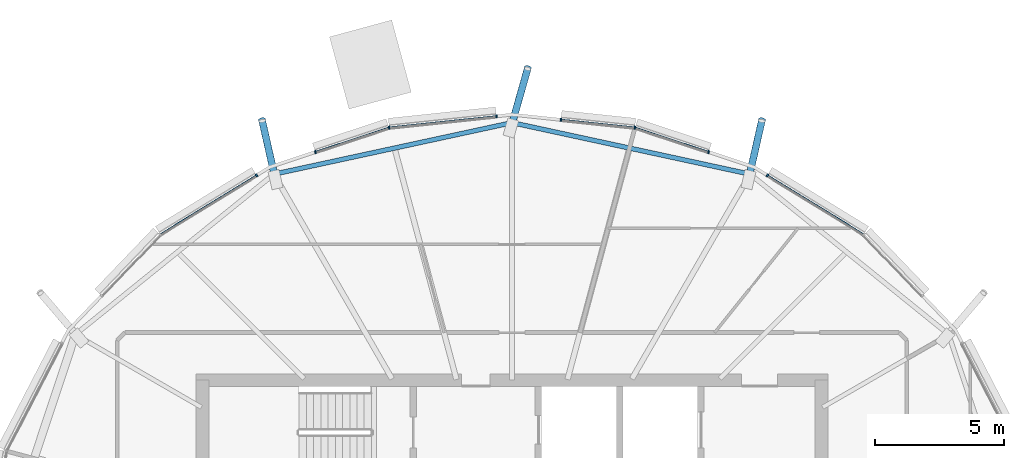
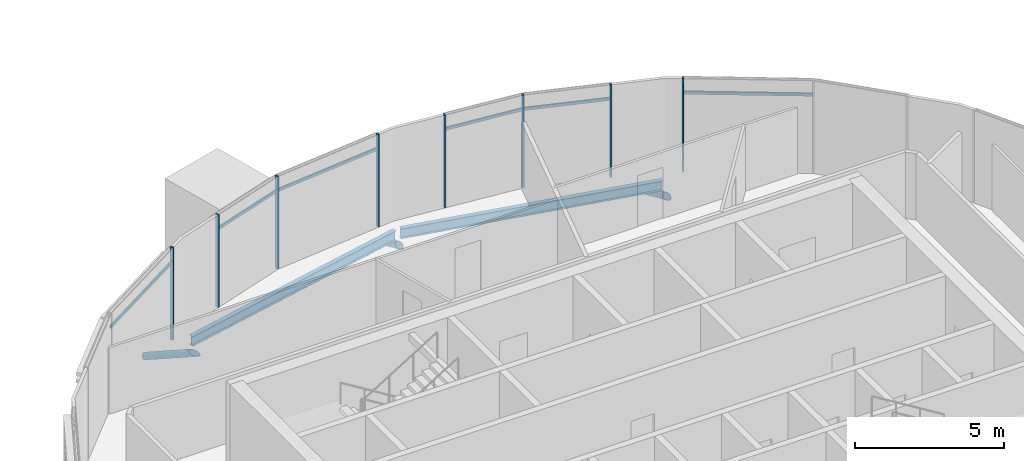
# One storey, part 8 of 33: 17 members, 2 beams, 1 element without a shape of its own.
"""IFC4 building model written with IfcOpenShell, lengths in metres."""

from ifc_helpers import new_model, si_unit, direction, frame, origin, origin_2d, place, context, subcontext, project, spatial, rectangle, hollow_circle, i_section, extrude, clip, halfspace, material, material_profile, profile_set, type_object, element, aggregate, save


model = new_model("IFC4")

# Units and contexts
model_context = context("Model", 3, precision=1e-05, world=origin(), true_north=direction((0.0, 1.0)))
body_context = subcontext(model_context, "Body", "Model", "MODEL_VIEW")
ifc_project = project(units=[si_unit("LENGTHUNIT", "METRE"), si_unit("AREAUNIT", "SQUARE_METRE"), si_unit("VOLUMEUNIT", "CUBIC_METRE"), si_unit("PLANEANGLEUNIT", "RADIAN"), si_unit("MASSUNIT", "GRAM", prefix="KILO")], contexts=[model_context])

# Site, building, storey
site_placement = place(None, origin())
site = spatial("IfcSite", under=ifc_project, at=site_placement, CompositionType="ELEMENT")
building_placement = place(site_placement, origin())
building = spatial("IfcBuilding", under=site, at=building_placement, Name="Rimbun Link Towers", CompositionType="ELEMENT")
storey_placement = place(building_placement, frame((0.0, 0.0, 237.10009765625)))
storey = spatial("IfcBuildingStorey", under=building, at=storey_placement, Name="L58", CompositionType="ELEMENT", Elevation=237.10009765625)

# Curtain wall, members
ifc_material_1 = material(Name="Aluminium 6063-T6 and low-iron glass", Category="aluminium")
curtain_wall_type = type_object("IfcCurtainWallType", Name="CW1-Z4 unitised vision wall (zone 4)", PredefinedType="NOTDEFINED", material=ifc_material_1)
curtain_wall_placement = place(storey_placement, origin())
curtain_wall = element("IfcCurtainWall", 1, at=curtain_wall_placement, inside=storey, type_object=curtain_wall_type, Name="CW1 L58 T1", PredefinedType="NOTDEFINED")
ifc_material_2 = material(Name="Aluminium 6063-T6", Category="aluminium")
ifc_material_profile_1 = material_profile(ifc_material_2, rectangle(XDim=0.1201171875, YDim=0.06005859375, at=origin_2d()), Name="MULLION 60X120")
ifc_profile_set_1 = profile_set([ifc_material_profile_1], Name="Aluminium 6063-T6")
member_type_1 = type_object("IfcMemberType", Name="CW1 mullion 60X120", PredefinedType="MULLION", material=ifc_profile_set_1)
member_1_placement = place(storey_placement, frame((-21.8486328125, 15.947021484375, 0.0), z_axis=(0.0, 0.0, 1.0), x_axis=(0.523240269306, 0.852185203214, 0.0)))
member_1 = element("IfcMember", 2, at=member_1_placement, type_object=member_type_1, Name="CW1 mullion", PredefinedType="MULLION", context=body_context, shape_type="SweptSolid", body=[
    extrude(rectangle(XDim=0.1201171875, YDim=0.06005859375, at=origin_2d()), origin(), (0.0, 0.0, 1.0), 3.7998046875),
])
member_2_placement = place(storey_placement, frame((-26.98486328125, 17.794921875, 0.0), z_axis=(0.0, 0.0, 1.0), x_axis=(0.210871343796, 0.97751382413, 0.0)))
member_2 = element("IfcMember", 3, at=member_2_placement, type_object=member_type_1, Name="CW1 mullion", PredefinedType="MULLION", context=body_context, shape_type="SweptSolid", body=[
    extrude(rectangle(XDim=0.1201171875, YDim=0.06005859375, at=origin_2d()), origin(), (0.0, 0.0, 1.0), 3.7998046875),
])
member_3_placement = place(storey_placement, frame((-24.12841796875, 16.8486328125, 0.0), z_axis=(0.0, 0.0, 1.0), x_axis=(0.314570456722, 0.949234126945, 0.0)))
member_3 = element("IfcMember", 4, at=member_3_placement, type_object=member_type_1, Name="CW1 mullion", PredefinedType="MULLION", context=body_context, shape_type="SweptSolid", body=[
    extrude(rectangle(XDim=0.1201171875, YDim=0.06005859375, at=origin_2d()), origin(), (0.0, 0.0, 1.0), 3.7998046875),
])
member_4_placement = place(storey_placement, frame((-29.854248046875, 18.097412109375, 0.0), z_axis=(0.0, 0.0, 1.0), x_axis=(0.104735982072, 0.994500062373, 0.0)))
member_4 = element("IfcMember", 5, at=member_4_placement, type_object=member_type_1, Name="CW1 mullion", PredefinedType="MULLION", context=body_context, shape_type="SweptSolid", body=[
    extrude(rectangle(XDim=0.1201171875, YDim=0.06005859375, at=origin_2d()), origin(), (0.0, 0.0, 1.0), 3.7998046875),
])
member_5_placement = place(storey_placement, frame((-36.51513671875, 17.794921875, 0.0), z_axis=(0.0, 0.0, 1.0), x_axis=(-0.210871343796, 0.97751382413, 0.0)))
member_5 = element("IfcMember", 6, at=member_5_placement, type_object=member_type_1, Name="CW1 mullion", PredefinedType="MULLION", context=body_context, shape_type="SweptSolid", body=[
    extrude(rectangle(XDim=0.1201171875, YDim=0.06005859375, at=origin_2d()), origin(), (0.0, 0.0, 1.0), 3.7998046875),
])
member_6_placement = place(storey_placement, frame((-32.35302734375, 18.233642578125, 0.0), z_axis=(0.0, 0.0, 1.0), x_axis=(-0.104735982072, 0.994500062373, 0.0)))
member_6 = element("IfcMember", 7, at=member_6_placement, type_object=member_type_1, Name="CW1 mullion", PredefinedType="MULLION", context=body_context, shape_type="SweptSolid", body=[
    extrude(rectangle(XDim=0.1201171875, YDim=0.06005859375, at=origin_2d()), origin(), (0.0, 0.0, 1.0), 3.7998046875),
])
member_7_placement = place(storey_placement, frame((-39.37158203125, 16.8486328125, 0.0), z_axis=(0.0, 0.0, 1.0), x_axis=(-0.314570456722, 0.949234126945, 0.0)))
member_7 = element("IfcMember", 8, at=member_7_placement, type_object=member_type_1, Name="CW1 mullion", PredefinedType="MULLION", context=body_context, shape_type="SweptSolid", body=[
    extrude(rectangle(XDim=0.1201171875, YDim=0.06005859375, at=origin_2d()), origin(), (0.0, 0.0, 1.0), 3.7998046875),
])
member_8_placement = place(storey_placement, frame((-41.6513671875, 15.947021484375, 0.0), z_axis=(0.0, 0.0, 1.0), x_axis=(-0.523240269306, 0.852185203214, 0.0)))
member_8 = element("IfcMember", 9, at=member_8_placement, type_object=member_type_1, Name="CW1 mullion", PredefinedType="MULLION", context=body_context, shape_type="SweptSolid", body=[
    extrude(rectangle(XDim=0.1201171875, YDim=0.06005859375, at=origin_2d()), origin(), (0.0, 0.0, 1.0), 3.7998046875),
])
ifc_material_3 = material(Name="Aluminium 6063-T6", Category="aluminium")
ifc_material_profile_2 = material_profile(ifc_material_3, rectangle(XDim=0.06005859375, YDim=0.1201171875, at=origin_2d()), Name="TRANSOM 60X120")
ifc_profile_set_2 = profile_set([ifc_material_profile_2], Name="Aluminium 6063-T6")
member_type_2 = type_object("IfcMemberType", Name="CW1 transom 60X120", PredefinedType="USERDEFINED", material=ifc_profile_set_2)
member_9_placement = place(storey_placement, frame((-21.823974609375, 15.9296875, 3.199951171875), z_axis=(0.852183601345, -0.523242878211, 0.0), x_axis=(0.523242878211, 0.852183601345, 0.0)))
member_9 = element("IfcMember", 10, at=member_9_placement, type_object=member_type_2, Name="CW1 transom", ObjectType="TRANSOM", PredefinedType="USERDEFINED", context=body_context, shape_type="SweptSolid", body=[
    extrude(rectangle(XDim=0.06005859375, YDim=0.1201171875, at=origin_2d()), origin(), (0.0, 0.0, 1.0), 4.321044921875),
])
member_10_placement = place(storey_placement, frame((-26.950927734375, 17.781982421875, 3.199951171875), z_axis=(0.949221201628, -0.314609456916, 0.0), x_axis=(0.314609456916, 0.949221201628, 0.0)))
member_10 = element("IfcMember", 11, at=member_10_placement, type_object=member_type_2, Name="CW1 transom", ObjectType="TRANSOM", PredefinedType="USERDEFINED", context=body_context, shape_type="SweptSolid", body=[
    extrude(rectangle(XDim=0.06005859375, YDim=0.1201171875, at=origin_2d()), origin(), (0.0, 0.0, 1.0), 2.942626953125),
])
member_11_placement = place(storey_placement, frame((-29.824462890625, 18.09228515625, 3.199951171875), z_axis=(0.994502130239, -0.104716345189, 0.0), x_axis=(0.104716345189, 0.994502130239, 0.0)))
member_11 = element("IfcMember", 12, at=member_11_placement, type_object=member_type_2, Name="CW1 transom", ObjectType="TRANSOM", PredefinedType="USERDEFINED", context=body_context, shape_type="SweptSolid", body=[
    extrude(rectangle(XDim=0.06005859375, YDim=0.1201171875, at=origin_2d()), origin(), (0.0, 0.0, 1.0), 2.818603515625),
])
member_12_placement = place(storey_placement, frame((-36.478759765625, 17.797119140625, 3.199951171875), z_axis=(0.99449993012, 0.104737237843, 0.0), x_axis=(-0.104737237843, 0.99449993012, 0.0)))
member_12 = element("IfcMember", 13, at=member_12_placement, type_object=member_type_2, Name="CW1 transom", ObjectType="TRANSOM", PredefinedType="USERDEFINED", context=body_context, shape_type="SweptSolid", body=[
    extrude(rectangle(XDim=0.06005859375, YDim=0.1201171875, at=origin_2d()), origin(), (0.0, 0.0, 1.0), 4.118896484375),
])
member_13_placement = place(storey_placement, frame((-39.34228515625, 16.856201171875, 3.199951171875), z_axis=(0.949221201628, 0.314609456916, 0.0), x_axis=(-0.314609456916, 0.949221201628, 0.0)))
member_13 = element("IfcMember", 14, at=member_13_placement, type_object=member_type_2, Name="CW1 transom", ObjectType="TRANSOM", PredefinedType="USERDEFINED", context=body_context, shape_type="SweptSolid", body=[
    extrude(rectangle(XDim=0.06005859375, YDim=0.1201171875, at=origin_2d()), origin(), (0.0, 0.0, 1.0), 2.942626953125),
])
member_14_placement = place(storey_placement, frame((-45.3583984375, 13.668701171875, 3.199951171875), z_axis=(0.852183601345, 0.523242878211, 0.0), x_axis=(-0.523242878211, 0.852183601345, 0.0)))
member_14 = element("IfcMember", 15, at=member_14_placement, type_object=member_type_2, Name="CW1 transom", ObjectType="TRANSOM", PredefinedType="USERDEFINED", context=body_context, shape_type="SweptSolid", body=[
    extrude(rectangle(XDim=0.06005859375, YDim=0.1201171875, at=origin_2d()), origin(), (0.0, 0.0, 1.0), 4.321044921875),
])
aggregate(curtain_wall, [member_1, member_2, member_3, member_4, member_5, member_6, member_7, member_8, member_9, member_10, member_11, member_12, member_13, member_14])

# Members
ifc_material_4 = material(Name="Steel S355J2H", Category="steel")
ifc_material_profile_3 = material_profile(ifc_material_4, hollow_circle(Radius=0.136474609375, WallThickness=0.012451171875, at=origin_2d()), Name="CHS 273x12.5")
ifc_profile_set_3 = profile_set([ifc_material_profile_3], Name="Steel S355J2H")
member_type_3 = type_object("IfcMemberType", Name="Floor edge link CHS 273x12.5", PredefinedType="BRACE", material=ifc_profile_set_3)
member_15_placement = place(storey_placement, frame((-22.5439453125, 15.9453125, -0.791259765625), z_axis=(0.191789514329, 0.847102192521, -0.495615433193), x_axis=(-0.97531508645, 0.220817757762, 0.0)))
element("IfcMember", 16, at=member_15_placement, inside=storey, type_object=member_type_3, Name="Floor edge link T1 L58 04", PredefinedType="BRACE", context=body_context, shape_type="Clipping", body=[
    clip(extrude(hollow_circle(Radius=0.136474609375, WallThickness=0.012451171875, at=origin_2d()), frame((0.0, 0.0, -0.49853515625)), (0.0, 0.0, 1.0), 3.0546875), halfspace(frame((0.0, 0.0, -0.234130859375), z_axis=(0.0, 0.868542078647, -0.495615433193)), False)),
])
member_16_placement = place(storey_placement, frame((-31.75, 17.935302734375, -0.789794921875), z_axis=(0.233265551906, 0.82581156349, -0.51344176291), x_axis=(-0.962344765064, 0.271831847204, 0.0)))
element("IfcMember", 17, at=member_16_placement, inside=storey, type_object=member_type_3, Name="Floor edge link T1 L58 06", PredefinedType="BRACE", context=body_context, shape_type="Clipping", body=[
    clip(extrude(hollow_circle(Radius=0.136474609375, WallThickness=0.012451171875, at=origin_2d()), frame((0.0, 0.0, -0.475830078125)), (0.0, 0.0, 1.0), 3.130126953125), halfspace(frame((0.0, 0.0, -0.22314453125), z_axis=(0.0, 0.858124440918, -0.51344176291)), False)),
])
member_17_placement = place(storey_placement, frame((-40.9560546875, 15.9453125, -0.791259765625), z_axis=(-0.191789514329, 0.847102192521, -0.495615433193), x_axis=(-0.97531508645, -0.220817757762, 0.0)))
element("IfcMember", 18, at=member_17_placement, inside=storey, type_object=member_type_3, Name="Floor edge link T1 L58 08", PredefinedType="BRACE", context=body_context, shape_type="Clipping", body=[
    clip(extrude(hollow_circle(Radius=0.136474609375, WallThickness=0.012451171875, at=origin_2d()), frame((0.0, 0.0, -0.49853515625)), (0.0, 0.0, 1.0), 3.0546875), halfspace(frame((0.0, 0.0, -0.234130859375), z_axis=(0.0, 0.868542078647, -0.495615433193)), False)),
])

# Beams
ifc_material_5 = material(Name="Steel S355J2", Category="steel")
ifc_material_profile_4 = material_profile(ifc_material_5, i_section(OverallWidth=0.177978515625, OverallDepth=0.406494140625, WebThickness=0.0078125, FlangeThickness=0.0126953125, at=origin_2d()), Name="UB 406x178x60")
ifc_profile_set_4 = profile_set([ifc_material_profile_4], Name="Steel S355J2")
beam_type = type_object("IfcBeamType", Name="UB 406x178x60", PredefinedType="BEAM", material=ifc_profile_set_4)
for number, where, z_axis, x_axis, name in (
    (19, (-22.627197265625, 16.01220703125, -0.34326171875), (-0.977396285813, 0.211415468873, 0.0), (-0.211415468873, -0.977396285813, 0.0), "Edge beam T1 L58 04-06"),
    (20, (-31.855712890625, 17.962646484375, -0.34326171875), (-0.977396285813, -0.211415468873, 0.0), (0.211415468873, -0.977396285813, 0.0), "Edge beam T1 L58 06-08"),
):
    element("IfcBeam", number, at=place(storey_placement, frame(where, z_axis=z_axis, x_axis=x_axis)), inside=storey, type_object=beam_type, Name=name, PredefinedType="BEAM", context=body_context, shape_type="SweptSolid", body=[
        extrude(i_section(OverallWidth=0.177978515625, OverallDepth=0.406494140625, WebThickness=0.0078125, FlangeThickness=0.0126953125, at=origin_2d()), origin(), (0.0, 0.0, 1.0), 9.2255859375),
    ])

save(model, "model.ifc")
